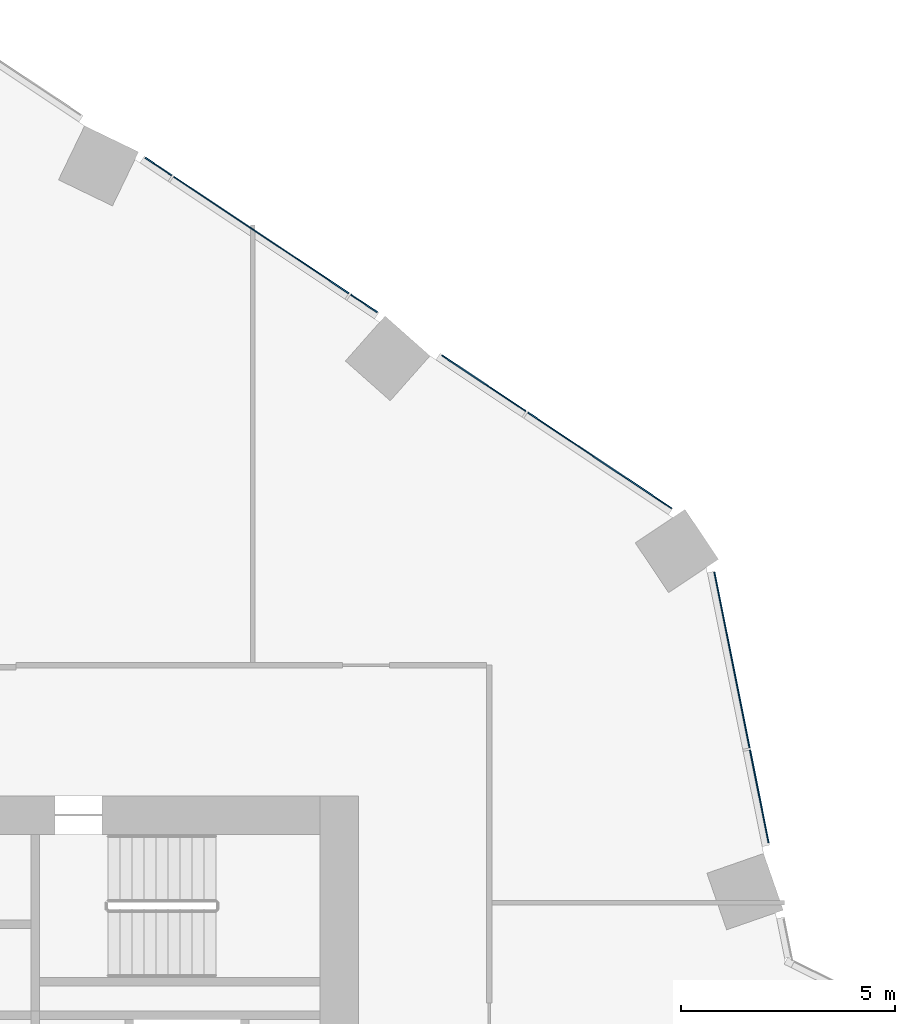
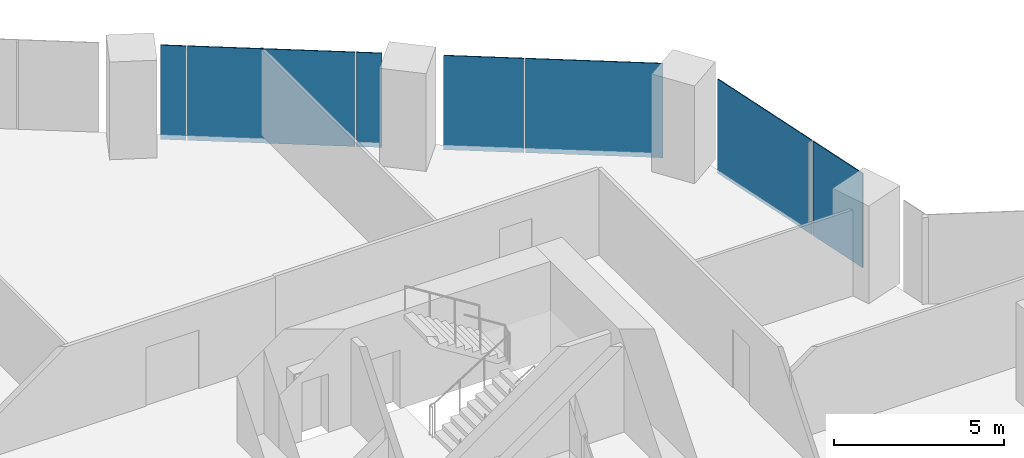
# One storey, part 25 of 38: 7 plates, 2 elements without a shape of their own.
"""IFC4 building model written with IfcOpenShell, lengths in metres."""

from ifc_helpers import new_model, si_unit, direction, frame, origin, origin_2d, place, context, subcontext, project, spatial, rectangle, extrude, material, layer, layer_set, type_object, element, aggregate, save


model = new_model("IFC4")

# Units and contexts
model_context = context("Model", 3, precision=1e-05, world=origin(), true_north=direction((0.0, 1.0)))
body_context = subcontext(model_context, "Body", "Model", "MODEL_VIEW")
ifc_project = project(units=[si_unit("LENGTHUNIT", "METRE"), si_unit("AREAUNIT", "SQUARE_METRE"), si_unit("VOLUMEUNIT", "CUBIC_METRE"), si_unit("PLANEANGLEUNIT", "RADIAN"), si_unit("MASSUNIT", "GRAM", prefix="KILO")], contexts=[model_context])

# Site, building, storey
site_placement = place(None, origin())
site = spatial("IfcSite", under=ifc_project, at=site_placement, CompositionType="ELEMENT")
building_placement = place(site_placement, origin())
building = spatial("IfcBuilding", under=site, at=building_placement, Name="Orlundy Tower", CompositionType="ELEMENT")
storey_placement = place(building_placement, frame((0.0, 0.0, 65.800048828125)))
storey = spatial("IfcBuildingStorey", under=building, at=storey_placement, Name="L15", CompositionType="ELEMENT", Elevation=65.800048828125)

# Curtain wall, plates
ifc_material_1 = material(Name="Aluminium bronze anodised", Category="aluminium")
curtain_wall_type = type_object("IfcCurtainWallType", Name="CW1 wall", PredefinedType="NOTDEFINED", material=ifc_material_1)
curtain_wall_1_placement = place(storey_placement, origin())
curtain_wall_1 = element("IfcCurtainWall", 1, at=curtain_wall_1_placement, inside=storey, type_object=curtain_wall_type, Name="CW1 run 016", PredefinedType="NOTDEFINED")
ifc_material_2 = material(Name="Tinted glass", Category="glass")
ifc_layer = layer(ifc_material_2, 0.031982421875)
ifc_layer_set = layer_set([ifc_layer], Name="CW1 glass panel 32")
plate_type = type_object("IfcPlateType", Name="CW1 glass panel 32", PredefinedType="CURTAIN_PANEL", material=ifc_layer_set)
plate_1_placement = place(storey_placement, frame((14.322265625, 26.703369140625, -0.280029296875), z_axis=(0.0, 0.0, 1.0), x_axis=(0.832279269513, -0.554356579774, 0.0)))
plate_1 = element("IfcPlate", 2, at=plate_1_placement, type_object=plate_type, Name="CW1 panel", PredefinedType="CURTAIN_PANEL", context=body_context, shape_type="SweptSolid", body=[
    extrude(rectangle(XDim=0.745849609375, YDim=0.031982421875, at=origin_2d()), origin(), (0.0, 0.0, 1.0), 3.3798828125),
])
plate_2_placement = place(storey_placement, frame((16.721923828125, 25.10498046875, -0.280029296875), z_axis=(0.0, 0.0, 1.0), x_axis=(0.832279269513, -0.554356579774, 0.0)))
plate_2 = element("IfcPlate", 3, at=plate_2_placement, type_object=plate_type, Name="CW1 panel", PredefinedType="CURTAIN_PANEL", context=body_context, shape_type="SweptSolid", body=[
    extrude(rectangle(XDim=4.92041015625, YDim=0.031982421875, at=origin_2d()), origin(), (0.0, 0.0, 1.0), 3.3798828125),
])
plate_3_placement = place(storey_placement, frame((19.12158203125, 23.506591796875, -0.280029296875), z_axis=(0.0, 0.0, 1.0), x_axis=(0.832279269513, -0.554356579774, 0.0)))
plate_3 = element("IfcPlate", 4, at=plate_3_placement, type_object=plate_type, Name="CW1 panel", PredefinedType="CURTAIN_PANEL", context=body_context, shape_type="SweptSolid", body=[
    extrude(rectangle(XDim=0.74609375, YDim=0.031982421875, at=origin_2d()), origin(), (0.0, 0.0, 1.0), 3.3798828125),
])
plate_4_placement = place(storey_placement, frame((21.92529296875, 21.63916015625, -0.280029296875), z_axis=(0.0, 0.0, 1.0), x_axis=(0.832279269513, -0.554356579774, 0.0)))
plate_4 = element("IfcPlate", 5, at=plate_4_placement, type_object=plate_type, Name="CW1 panel", PredefinedType="CURTAIN_PANEL", context=body_context, shape_type="SweptSolid", body=[
    extrude(rectangle(XDim=2.357421875, YDim=0.031982421875, at=origin_2d()), origin(), (0.0, 0.0, 1.0), 3.3798828125),
])
plate_5_placement = place(storey_placement, frame((24.629150390625, 19.83837890625, -0.280029296875), z_axis=(0.0, 0.0, 1.0), x_axis=(0.832279269513, -0.554356579774, 0.0)))
plate_5 = element("IfcPlate", 6, at=plate_5_placement, type_object=plate_type, Name="CW1 panel", PredefinedType="CURTAIN_PANEL", context=body_context, shape_type="SweptSolid", body=[
    extrude(rectangle(XDim=4.039794921875, YDim=0.031982421875, at=origin_2d()), origin(), (0.0, 0.0, 1.0), 3.3798828125),
])
aggregate(curtain_wall_1, [plate_1, plate_2, plate_3, plate_4, plate_5])

curtain_wall_2_placement = place(storey_placement, origin())
curtain_wall_2 = element("IfcCurtainWall", 7, at=curtain_wall_2_placement, inside=storey, type_object=curtain_wall_type, Name="CW1 run 017", PredefinedType="NOTDEFINED")
plate_6_placement = place(storey_placement, frame((27.723388671875, 15.17041015625, -0.280029296875), z_axis=(0.0, 0.0, 1.0), x_axis=(0.196529373401, -0.980497937474, 0.0)))
plate_6 = element("IfcPlate", 8, at=plate_6_placement, type_object=plate_type, Name="CW1 panel", PredefinedType="CURTAIN_PANEL", context=body_context, shape_type="SweptSolid", body=[
    extrude(rectangle(XDim=4.18701171875, YDim=0.031982421875, at=origin_2d()), origin(), (0.0, 0.0, 1.0), 3.3798828125),
])
plate_7_placement = place(storey_placement, frame((28.36181640625, 11.985595703125, -0.280029296875), z_axis=(0.0, 0.0, 1.0), x_axis=(0.196529373401, -0.980497937474, 0.0)))
plate_7 = element("IfcPlate", 9, at=plate_7_placement, type_object=plate_type, Name="CW1 panel", PredefinedType="CURTAIN_PANEL", context=body_context, shape_type="SweptSolid", body=[
    extrude(rectangle(XDim=2.20947265625, YDim=0.031982421875, at=origin_2d()), origin(), (0.0, 0.0, 1.0), 3.3798828125),
])
aggregate(curtain_wall_2, [plate_6, plate_7])

save(model, "model.ifc")
